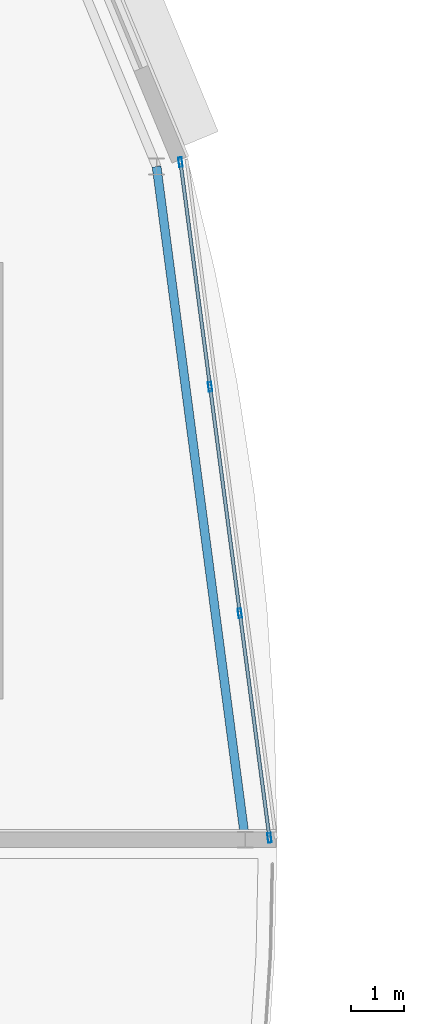
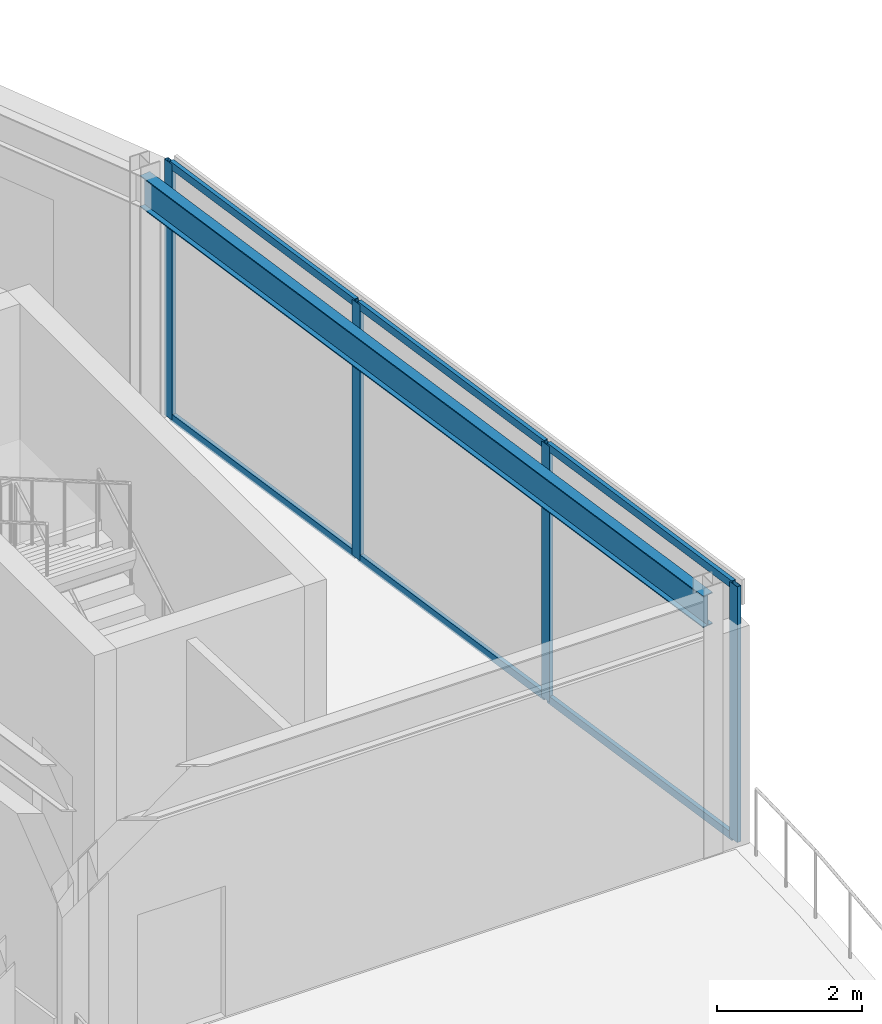
# One storey, part 51 of 89: 10 members, 1 beam, 1 element without a shape of its own.
"""IFC4 building model written with IfcOpenShell, lengths in metres."""

from ifc_helpers import new_model, si_unit, direction, frame, origin, origin_2d, place, context, subcontext, project, spatial, hollow_rectangle, i_section, extrude, material, material_profile, profile_set, type_object, element, aggregate, save


model = new_model("IFC4")

# Units and contexts
model_context = context("Model", 3, precision=1e-05, world=origin(), true_north=direction((0.0, 1.0)))
body_context = subcontext(model_context, "Body", "Model", "MODEL_VIEW")
ifc_project = project(units=[si_unit("LENGTHUNIT", "METRE"), si_unit("AREAUNIT", "SQUARE_METRE"), si_unit("VOLUMEUNIT", "CUBIC_METRE"), si_unit("PLANEANGLEUNIT", "RADIAN"), si_unit("MASSUNIT", "GRAM", prefix="KILO")], contexts=[model_context])

# Site, building, storey
site_placement = place(None, origin())
site = spatial("IfcSite", under=ifc_project, at=site_placement, CompositionType="ELEMENT")
building_placement = place(site_placement, origin())
building = spatial("IfcBuilding", under=site, at=building_placement, Name="Almandine Court Research Institute", CompositionType="ELEMENT")
storey_placement = place(building_placement, frame((0.0, 0.0, 18.89990234375)))
storey = spatial("IfcBuildingStorey", under=building, at=storey_placement, Name="L04", CompositionType="ELEMENT", Elevation=18.89990234375)

# Beam
ifc_material_1 = material(Name="Steel ASTM A992 Grade 50", Category="steel")
ifc_material_profile_1 = material_profile(ifc_material_1, i_section(OverallWidth=0.166015625, OverallDepth=0.534912109375, WebThickness=0.010009765625, FlangeThickness=0.01708984375, at=origin_2d()), Name="W530x85")
ifc_profile_set_1 = profile_set([ifc_material_profile_1], Name="Steel ASTM A992 Grade 50")
beam_type = type_object("IfcBeamType", Name="Beam-G-05-E", PredefinedType="SPANDREL", material=ifc_profile_set_1)
beam_placement = place(storey_placement, frame((135.89990234375, 56.0, 4.041015625), z_axis=(-0.130512396599, 0.991446677504, 0.0), x_axis=(-0.991446677504, -0.130512396599, 0.0)))
element("IfcBeam", 1, at=beam_placement, inside=storey, type_object=beam_type, Name="L04 Drum OUT Ring Beam 00", PredefinedType="SPANDREL", context=body_context, shape_type="SweptSolid", body=[
    extrude(i_section(OverallWidth=0.166015625, OverallDepth=0.534912109375, WebThickness=0.010009765625, FlangeThickness=0.01708984375, at=origin_2d()), origin(), (0.0, 0.0, 1.0), 12.76513671875),
])

# Curtain wall, members
ifc_material_2 = material(Name="Unitised Curtain Wall Framing and Solar Glazing", Category="glass")
curtain_wall_type = type_object("IfcCurtainWallType", Name="CW-CWJ-21", PredefinedType="USERDEFINED", material=ifc_material_2)
curtain_wall_placement = place(storey_placement, origin())
curtain_wall = element("IfcCurtainWall", 2, at=curtain_wall_placement, inside=storey, type_object=curtain_wall_type, Name="L04 Stacked-Ring Drum Outer Solar Jali Screen 00", ObjectType="SOLAR JALI SCREEN", PredefinedType="USERDEFINED")
ifc_material_3 = material(Name="Anodised Aluminium AW-6063-T6", Category="aluminium")
ifc_material_profile_2 = material_profile(ifc_material_3, hollow_rectangle(XDim=0.06494140625, YDim=0.179931640625, WallThickness=0.00390625, at=origin_2d()), Name="ALU RHS 65x180x4")
ifc_profile_set_2 = profile_set([ifc_material_profile_2], Name="Anodised Aluminium AW-6063-T6")
member_type_1 = type_object("IfcMemberType", Name="CWMul-65x180", PredefinedType="MULLION", material=ifc_profile_set_2)
member_1_placement = place(storey_placement, frame((134.683349609375, 68.73876953125, 0.0), z_axis=(0.0, 0.0, 1.0), x_axis=(0.991442926098, 0.130540891259, 0.0)))
member_1 = element("IfcMember", 3, at=member_1_placement, type_object=member_type_1, Name="CWJ-21 mullion 1", PredefinedType="MULLION", context=body_context, shape_type="SweptSolid", body=[
    extrude(hollow_rectangle(XDim=0.06494140625, YDim=0.179931640625, WallThickness=0.00390625, at=origin_2d()), origin(), (0.0, 0.0, 1.0), 4.31005859375),
])
member_2_placement = place(storey_placement, frame((135.2392578125, 64.515380859375, 0.0), z_axis=(0.0, 0.0, 1.0), x_axis=(0.991442926098, 0.130540891259, 0.0)))
member_2 = element("IfcMember", 4, at=member_2_placement, type_object=member_type_1, Name="CWJ-21 mullion 2", PredefinedType="MULLION", context=body_context, shape_type="SweptSolid", body=[
    extrude(hollow_rectangle(XDim=0.06494140625, YDim=0.179931640625, WallThickness=0.00390625, at=origin_2d()), origin(), (0.0, 0.0, 1.0), 4.31005859375),
])
member_3_placement = place(storey_placement, frame((135.799560546875, 60.259765625, 0.0), z_axis=(0.0, 0.0, 1.0), x_axis=(0.991442926098, 0.130540891259, 0.0)))
member_3 = element("IfcMember", 5, at=member_3_placement, type_object=member_type_1, Name="CWJ-21 mullion 3", PredefinedType="MULLION", context=body_context, shape_type="SweptSolid", body=[
    extrude(hollow_rectangle(XDim=0.06494140625, YDim=0.179931640625, WallThickness=0.00390625, at=origin_2d()), origin(), (0.0, 0.0, 1.0), 4.31005859375),
])
member_4_placement = place(storey_placement, frame((136.355712890625, 56.0361328125, 0.0), z_axis=(0.0, 0.0, 1.0), x_axis=(0.991442926098, 0.130540891259, 0.0)))
member_4 = element("IfcMember", 6, at=member_4_placement, type_object=member_type_1, Name="CWJ-21 mullion 4", PredefinedType="MULLION", context=body_context, shape_type="SweptSolid", body=[
    extrude(hollow_rectangle(XDim=0.06494140625, YDim=0.179931640625, WallThickness=0.00390625, at=origin_2d()), origin(), (0.0, 0.0, 1.0), 4.31005859375),
])
ifc_material_profile_3 = material_profile(ifc_material_3, hollow_rectangle(XDim=0.06494140625, YDim=0.1298828125, WallThickness=0.00390625, at=origin_2d()), Name="ALU RHS 65x130x4")
ifc_profile_set_3 = profile_set([ifc_material_profile_3], Name="Anodised Aluminium AW-6063-T6")
member_type_2 = type_object("IfcMemberType", Name="CWTrn-65x130", PredefinedType="NOTDEFINED", material=ifc_profile_set_3)
member_5_placement = place(storey_placement, frame((134.6875, 68.70654296875, 0.03271484375), z_axis=(0.130543337873, -0.991442603955, 0.0), x_axis=(0.991442603955, 0.130543337873, 0.0)))
member_5 = element("IfcMember", 7, at=member_5_placement, type_object=member_type_2, Name="CWJ-21 transom 1.1", ObjectType="TRANSOM", PredefinedType="USERDEFINED", context=body_context, shape_type="SweptSolid", body=[
    extrude(hollow_rectangle(XDim=0.06494140625, YDim=0.1298828125, WallThickness=0.00390625, at=origin_2d()), origin(), (0.0, 0.0, 1.0), 4.19482421875),
])
member_6_placement = place(storey_placement, frame((134.6875, 68.70654296875, 4.277587890625), z_axis=(0.130543337873, -0.991442603955, 0.0), x_axis=(0.991442603955, 0.130543337873, 0.0)))
member_6 = element("IfcMember", 8, at=member_6_placement, type_object=member_type_2, Name="CWJ-21 transom 1.2", ObjectType="TRANSOM", PredefinedType="USERDEFINED", context=body_context, shape_type="SweptSolid", body=[
    extrude(hollow_rectangle(XDim=0.06494140625, YDim=0.1298828125, WallThickness=0.00390625, at=origin_2d()), origin(), (0.0, 0.0, 1.0), 4.19482421875),
])
member_7_placement = place(storey_placement, frame((135.24365234375, 64.483154296875, 0.03271484375), z_axis=(0.130521740045, -0.991445447504, 0.0), x_axis=(0.991445447504, 0.130521740045, 0.0)))
member_7 = element("IfcMember", 9, at=member_7_placement, type_object=member_type_2, Name="CWJ-21 transom 2.1", ObjectType="TRANSOM", PredefinedType="USERDEFINED", context=body_context, shape_type="SweptSolid", body=[
    extrude(hollow_rectangle(XDim=0.06494140625, YDim=0.1298828125, WallThickness=0.00390625, at=origin_2d()), origin(), (0.0, 0.0, 1.0), 4.227294921875),
])
member_8_placement = place(storey_placement, frame((135.24365234375, 64.483154296875, 4.277587890625), z_axis=(0.130521740045, -0.991445447504, 0.0), x_axis=(0.991445447504, 0.130521740045, 0.0)))
member_8 = element("IfcMember", 10, at=member_8_placement, type_object=member_type_2, Name="CWJ-21 transom 2.2", ObjectType="TRANSOM", PredefinedType="USERDEFINED", context=body_context, shape_type="SweptSolid", body=[
    extrude(hollow_rectangle(XDim=0.06494140625, YDim=0.1298828125, WallThickness=0.00390625, at=origin_2d()), origin(), (0.0, 0.0, 1.0), 4.227294921875),
])
member_9_placement = place(storey_placement, frame((135.803955078125, 60.2275390625, 0.03271484375), z_axis=(0.130535805655, -0.991443595694, 0.0), x_axis=(0.991443595694, 0.130535805655, 0.0)))
member_9 = element("IfcMember", 11, at=member_9_placement, type_object=member_type_2, Name="CWJ-21 transom 3.1", ObjectType="TRANSOM", PredefinedType="USERDEFINED", context=body_context, shape_type="SweptSolid", body=[
    extrude(hollow_rectangle(XDim=0.06494140625, YDim=0.1298828125, WallThickness=0.00390625, at=origin_2d()), origin(), (0.0, 0.0, 1.0), 4.195068359375),
])
member_10_placement = place(storey_placement, frame((135.803955078125, 60.2275390625, 4.277587890625), z_axis=(0.130535805655, -0.991443595694, 0.0), x_axis=(0.991443595694, 0.130535805655, 0.0)))
member_10 = element("IfcMember", 12, at=member_10_placement, type_object=member_type_2, Name="CWJ-21 transom 3.2", ObjectType="TRANSOM", PredefinedType="USERDEFINED", context=body_context, shape_type="SweptSolid", body=[
    extrude(hollow_rectangle(XDim=0.06494140625, YDim=0.1298828125, WallThickness=0.00390625, at=origin_2d()), origin(), (0.0, 0.0, 1.0), 4.195068359375),
])
aggregate(curtain_wall, [member_1, member_2, member_3, member_4, member_5, member_6, member_7, member_8, member_9, member_10])

save(model, "model.ifc")
